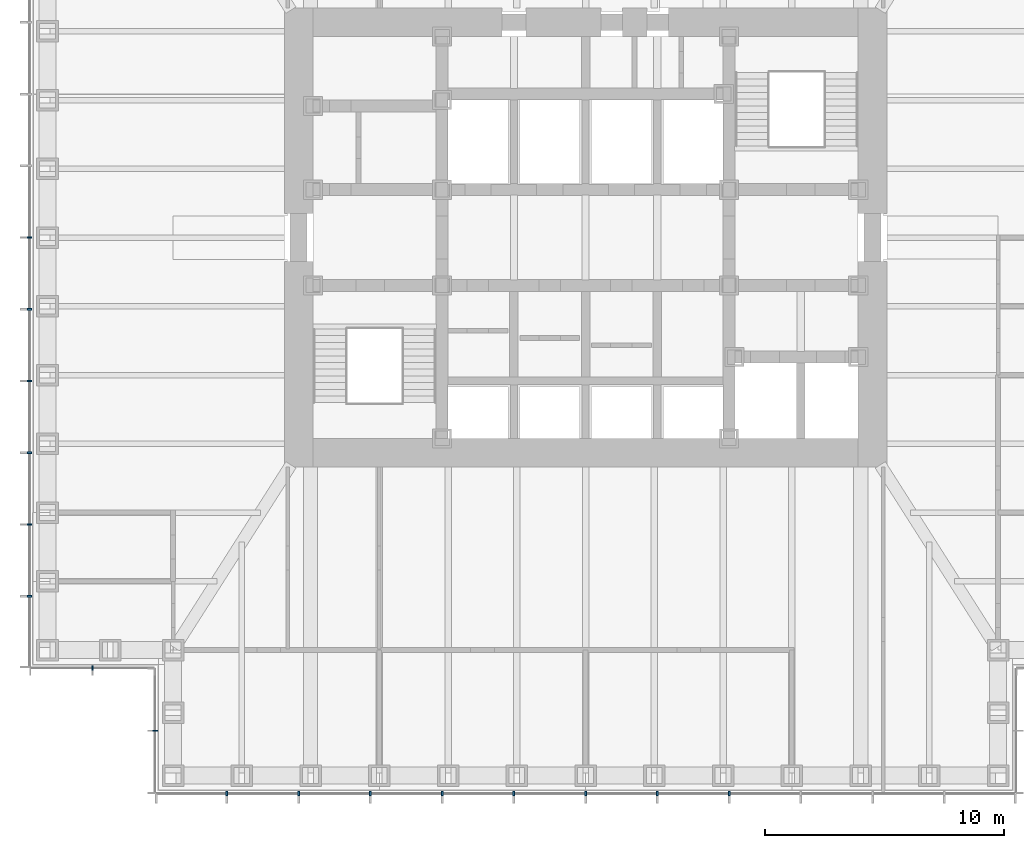
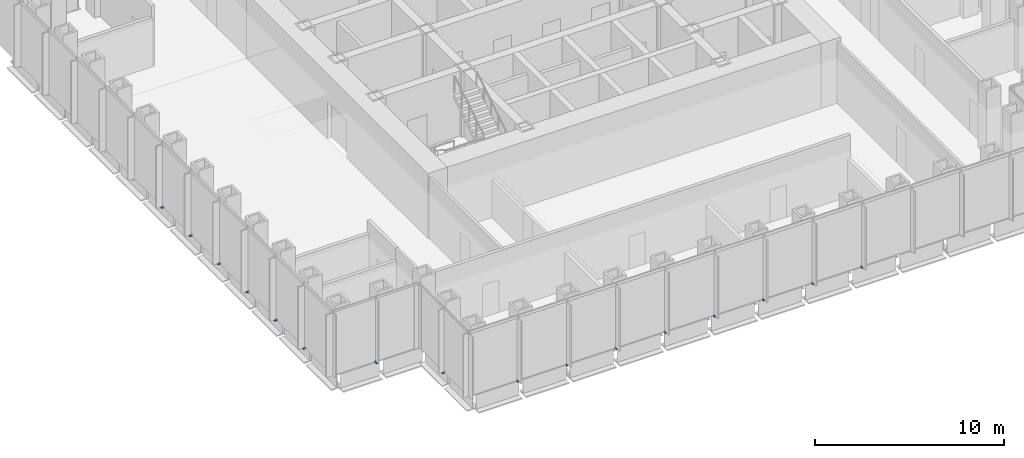
# One storey, part 12 of 17: 16 discrete accessories.
"""IFC4 building model written with IfcOpenShell, lengths in metres."""

from ifc_helpers import new_model, si_unit, direction, frame, origin, origin_2d, place, context, subcontext, project, spatial, rectangle, extrude, element, save


model = new_model("IFC4")

# Units and contexts
model_context = context("Model", 3, precision=1e-05, world=origin(), true_north=direction((0.0, 1.0)))
body_context = subcontext(model_context, "Body", "Model", "MODEL_VIEW")
ifc_project = project(units=[si_unit("LENGTHUNIT", "METRE"), si_unit("AREAUNIT", "SQUARE_METRE"), si_unit("VOLUMEUNIT", "CUBIC_METRE"), si_unit("PLANEANGLEUNIT", "RADIAN"), si_unit("MASSUNIT", "GRAM", prefix="KILO")], contexts=[model_context])

# Site, building, storey
site_placement = place(None, origin())
site = spatial("IfcSite", under=ifc_project, at=site_placement, CompositionType="ELEMENT")
building_placement = place(site_placement, origin())
building = spatial("IfcBuilding", under=site, at=building_placement, Name="Daluyong Arena Tower", CompositionType="ELEMENT")
storey_placement = place(building_placement, frame((0.0, 0.0, 171.10009765625)))
storey = spatial("IfcBuildingStorey", under=building, at=storey_placement, Name="L38", CompositionType="ELEMENT", Elevation=171.10009765625)

# Discrete accessories
for number, where, z_axis, x_axis, name in (
    (1, (41.0, 56.75, -0.10009765625), (0.0, 0.0, 1.0), (1.0, 0.0, 0.0), "curtain wall L38 S anchor bracket 2"),
    (2, (44.0, 56.75, -0.10009765625), (0.0, 0.0, 1.0), (1.0, 0.0, 0.0), "curtain wall L38 S anchor bracket 3"),
    (3, (47.0, 56.75, -0.10009765625), (0.0, 0.0, 1.0), (1.0, 0.0, 0.0), "curtain wall L38 S anchor bracket 4"),
    (4, (50.0, 56.75, -0.10009765625), (0.0, 0.0, 1.0), (1.0, 0.0, 0.0), "curtain wall L38 S anchor bracket 5"),
    (5, (53.0, 56.75, -0.10009765625), (0.0, 0.0, 1.0), (1.0, 0.0, 0.0), "curtain wall L38 S anchor bracket 6"),
    (6, (56.0, 56.75, -0.10009765625), (0.0, 0.0, 1.0), (1.0, 0.0, 0.0), "curtain wall L38 S anchor bracket 7"),
    (7, (59.0, 56.75, -0.10009765625), (0.0, 0.0, 1.0), (1.0, 0.0, 0.0), "curtain wall L38 S anchor bracket 8"),
    (8, (62.0, 56.75, -0.10009765625), (0.0, 0.0, 1.0), (1.0, 0.0, 0.0), "curtain wall L38 S anchor bracket 9"),
    (9, (32.75, 80.0, -0.10009765625), (0.0, 0.0, 1.0), (0.0, -1.0, 0.0), "curtain wall L38 W anchor bracket 7"),
    (10, (32.75, 77.0, -0.10009765625), (0.0, 0.0, 1.0), (0.0, -1.0, 0.0), "curtain wall L38 W anchor bracket 8"),
    (11, (32.75, 74.0, -0.10009765625), (0.0, 0.0, 1.0), (0.0, -1.0, 0.0), "curtain wall L38 W anchor bracket 9"),
    (12, (32.75, 71.0, -0.10009765625), (0.0, 0.0, 1.0), (0.0, -1.0, 0.0), "curtain wall L38 W anchor bracket 10"),
    (13, (32.75, 68.0, -0.10009765625), (0.0, 0.0, 1.0), (0.0, -1.0, 0.0), "curtain wall L38 W anchor bracket 11"),
    (14, (32.75, 65.0, -0.10009765625), (0.0, 0.0, 1.0), (0.0, -1.0, 0.0), "curtain wall L38 W anchor bracket 12"),
):
    element("IfcDiscreteAccessory", number, at=place(storey_placement, frame(where, z_axis=z_axis, x_axis=x_axis)), inside=storey, Name=name, PredefinedType="BRACKET", context=body_context, shape_type="SweptSolid", body=[
        extrude(rectangle(XDim=0.080078125, YDim=0.199951171875, at=origin_2d()), origin(), (0.0, 0.0, 1.0), 0.10009765625),
    ])
for number, where, z_axis, x_axis, name in (
    (15, (35.375, 62.0, -0.10009765625), (0.0, 0.0, 1.0), (1.0, 0.0, 0.0), "curtain wall L38 SW-S anchor bracket 2"),
    (16, (38.0, 59.375, -0.10009765625), (0.0, 0.0, 1.0), (0.0, -1.0, 0.0), "curtain wall L38 SW-W anchor bracket 2"),
):
    element("IfcDiscreteAccessory", number, at=place(storey_placement, frame(where, z_axis=z_axis, x_axis=x_axis)), inside=storey, Name=name, PredefinedType="BRACKET", context=body_context, shape_type="SweptSolid", body=[
        extrude(rectangle(XDim=0.06005859375, YDim=0.199951171875, at=origin_2d()), origin(), (0.0, 0.0, 1.0), 0.10009765625),
    ])

save(model, "model.ifc")
